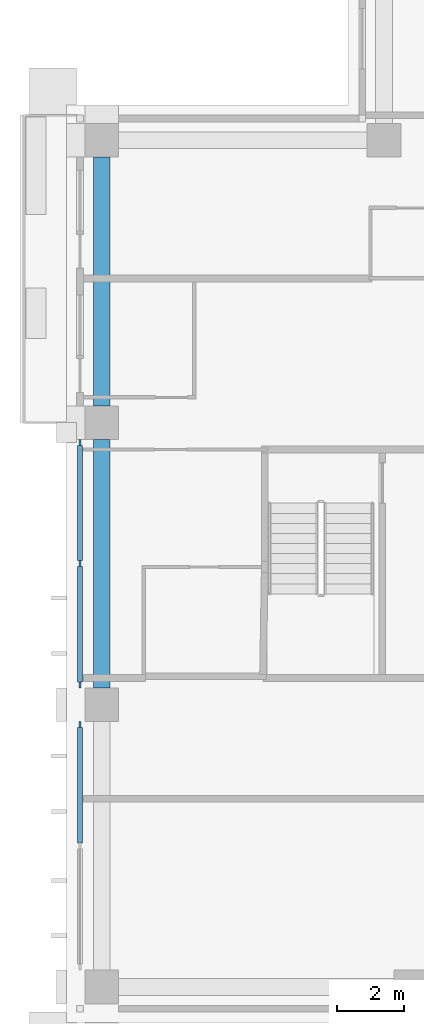
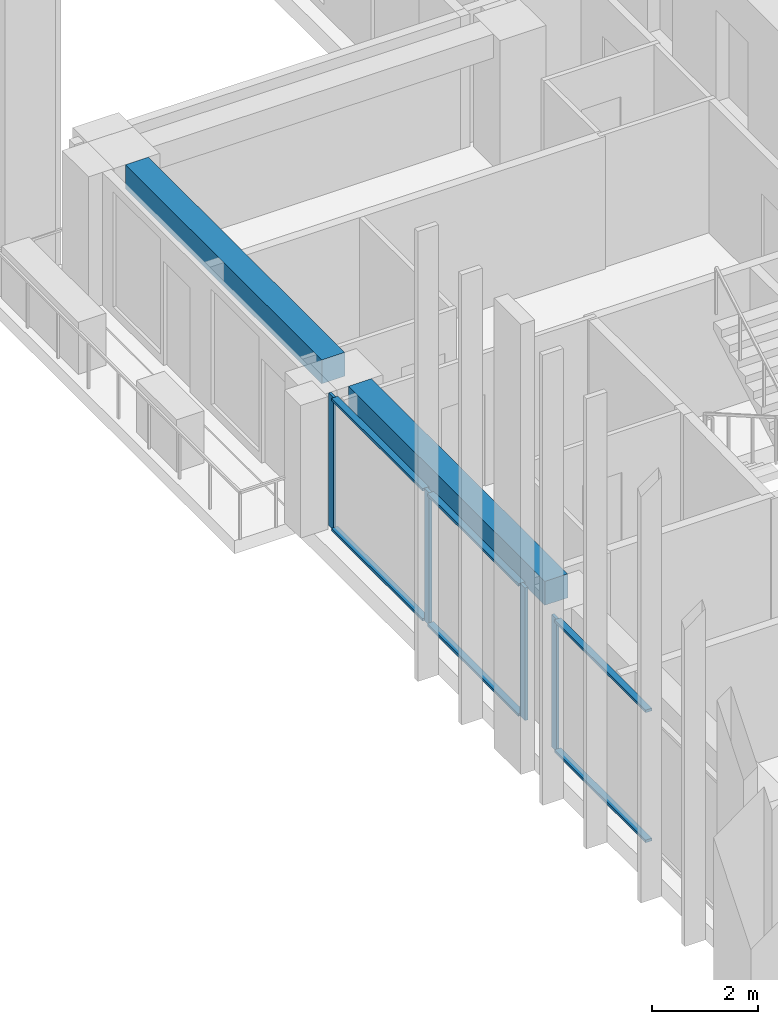
# One storey, part 4 of 17: 10 members, 2 beams, 2 elements without a shape of their own.
"""IFC4 building model written with IfcOpenShell, lengths in metres."""

from ifc_helpers import new_model, si_unit, direction, frame, origin, origin_2d, place, context, subcontext, project, spatial, rectangle, extrude, material, material_profile, profile_set, type_object, element, aggregate, save


model = new_model("IFC4")

# Units and contexts
model_context = context("Model", 3, precision=1e-05, world=origin(), true_north=direction((0.0, 1.0)))
body_context = subcontext(model_context, "Body", "Model", "MODEL_VIEW")
ifc_project = project(units=[si_unit("LENGTHUNIT", "METRE"), si_unit("AREAUNIT", "SQUARE_METRE"), si_unit("VOLUMEUNIT", "CUBIC_METRE"), si_unit("PLANEANGLEUNIT", "RADIAN"), si_unit("MASSUNIT", "GRAM", prefix="KILO")], contexts=[model_context])

# Site, building, storey
site_placement = place(None, origin())
site = spatial("IfcSite", under=ifc_project, at=site_placement, CompositionType="ELEMENT")
building_placement = place(site_placement, origin())
building = spatial("IfcBuilding", under=site, at=building_placement, Name="Vermilion Ogive Tower", CompositionType="ELEMENT")
storey_placement = place(building_placement, frame((0.0, 0.0, 175.550048828125)))
storey = spatial("IfcBuildingStorey", under=building, at=storey_placement, Name="L45", CompositionType="ELEMENT", Elevation=175.550048828125)

# Curtain wall, members
ifc_material_1 = material(Name="Low-iron laminated glazing in aluminium frame", Category="aluminium")
curtain_wall_type = type_object("IfcCurtainWallType", Name="Curtain wall CW7", PredefinedType="NOTDEFINED", material=ifc_material_1)
curtain_wall_1_placement = place(storey_placement, origin())
curtain_wall_1 = element("IfcCurtainWall", 1, at=curtain_wall_1_placement, inside=storey, type_object=curtain_wall_type, Name="Glazed skin W2", PredefinedType="NOTDEFINED")
ifc_material_2 = material(Name="Aluminium mullion", Category="aluminium")
ifc_material_profile_1 = material_profile(ifc_material_2, rectangle(XDim=0.06005859375, YDim=0.179931640625, at=origin_2d()), Name="AL 60x180")
ifc_profile_set_1 = profile_set([ifc_material_profile_1], Name="Aluminium mullion")
member_type_1 = type_object("IfcMemberType", Name="CW7 mullion 60x180", PredefinedType="MULLION", material=ifc_profile_set_1)
member_1_placement = place(storey_placement, frame((-25.85009765625, 3.610107421875, 0.0), z_axis=(0.0, 0.0, 1.0), x_axis=(1.0, 0.0, 0.0)))
member_1 = element("IfcMember", 2, at=member_1_placement, type_object=member_type_1, Name="CW7-W2 mullion 1", PredefinedType="MULLION", context=body_context, shape_type="SweptSolid", body=[
    extrude(rectangle(XDim=0.06005859375, YDim=0.179931640625, at=origin_2d()), origin(), (0.0, 0.0, 1.0), 3.050048828125),
])
member_2_placement = place(storey_placement, frame((-25.85009765625, 0.0, 0.0), z_axis=(0.0, 0.0, 1.0), x_axis=(1.0, 0.0, 0.0)))
member_2 = element("IfcMember", 3, at=member_2_placement, type_object=member_type_1, Name="CW7-W2 mullion 2", PredefinedType="MULLION", context=body_context, shape_type="SweptSolid", body=[
    extrude(rectangle(XDim=0.06005859375, YDim=0.179931640625, at=origin_2d()), origin(), (0.0, 0.0, 1.0), 3.050048828125),
])
member_3_placement = place(storey_placement, frame((-25.85009765625, -3.610107421875, 0.0), z_axis=(0.0, 0.0, 1.0), x_axis=(1.0, 0.0, 0.0)))
member_3 = element("IfcMember", 4, at=member_3_placement, type_object=member_type_1, Name="CW7-W2 mullion 3", PredefinedType="MULLION", context=body_context, shape_type="SweptSolid", body=[
    extrude(rectangle(XDim=0.06005859375, YDim=0.179931640625, at=origin_2d()), origin(), (0.0, 0.0, 1.0), 3.050048828125),
])

# Curtain wall, member
curtain_wall_2_placement = place(storey_placement, origin())
curtain_wall_2 = element("IfcCurtainWall", 5, at=curtain_wall_2_placement, inside=storey, type_object=curtain_wall_type, Name="Glazed skin W3", PredefinedType="NOTDEFINED")
member_4_placement = place(storey_placement, frame((-25.85009765625, -4.7900390625, 0.0), z_axis=(0.0, 0.0, 1.0), x_axis=(1.0, 0.0, 0.0)))
member_4 = element("IfcMember", 6, at=member_4_placement, type_object=member_type_1, Name="CW7-W3 mullion 1", PredefinedType="MULLION", context=body_context, shape_type="SweptSolid", body=[
    extrude(rectangle(XDim=0.06005859375, YDim=0.179931640625, at=origin_2d()), origin(), (0.0, 0.0, 1.0), 3.050048828125),
])

# Member
ifc_material_3 = material(Name="Aluminium transom", Category="aluminium")
ifc_material_profile_2 = material_profile(ifc_material_3, rectangle(XDim=0.139892578125, YDim=0.06005859375, at=origin_2d()), Name="AL 60x140")
ifc_profile_set_2 = profile_set([ifc_material_profile_2], Name="Aluminium transom")
member_type_2 = type_object("IfcMemberType", Name="CW7 transom 60x140", PredefinedType="USERDEFINED", material=ifc_profile_set_2)
member_5_placement = place(storey_placement, frame((-25.85009765625, 3.52001953125, 0.030029296875), z_axis=(0.0, -1.0, 0.0), x_axis=(1.0, 0.0, 0.0)))
member_5 = element("IfcMember", 7, at=member_5_placement, type_object=member_type_2, Name="CW7-W2 transom 1.1", ObjectType="TRANSOM", PredefinedType="USERDEFINED", context=body_context, shape_type="SweptSolid", body=[
    extrude(rectangle(XDim=0.139892578125, YDim=0.06005859375, at=origin_2d()), origin(), (0.0, 0.0, 1.0), 3.429931640625),
])

member_6_placement = place(storey_placement, frame((-25.85009765625, 3.52001953125, 3.02001953125), z_axis=(0.0, -1.0, 0.0), x_axis=(1.0, 0.0, 0.0)))
member_6 = element("IfcMember", 8, at=member_6_placement, type_object=member_type_2, Name="CW7-W2 transom 1.2", ObjectType="TRANSOM", PredefinedType="USERDEFINED", context=body_context, shape_type="SweptSolid", body=[
    extrude(rectangle(XDim=0.139892578125, YDim=0.06005859375, at=origin_2d()), origin(), (0.0, 0.0, 1.0), 3.429931640625),
])

member_7_placement = place(storey_placement, frame((-25.85009765625, -0.090087890625, 0.030029296875), z_axis=(0.0, -1.0, 0.0), x_axis=(1.0, 0.0, 0.0)))
member_7 = element("IfcMember", 9, at=member_7_placement, type_object=member_type_2, Name="CW7-W2 transom 2.1", ObjectType="TRANSOM", PredefinedType="USERDEFINED", context=body_context, shape_type="SweptSolid", body=[
    extrude(rectangle(XDim=0.139892578125, YDim=0.06005859375, at=origin_2d()), origin(), (0.0, 0.0, 1.0), 3.429931640625),
])

member_8_placement = place(storey_placement, frame((-25.85009765625, -0.090087890625, 3.02001953125), z_axis=(0.0, -1.0, 0.0), x_axis=(1.0, 0.0, 0.0)))
member_8 = element("IfcMember", 10, at=member_8_placement, type_object=member_type_2, Name="CW7-W2 transom 2.2", ObjectType="TRANSOM", PredefinedType="USERDEFINED", context=body_context, shape_type="SweptSolid", body=[
    extrude(rectangle(XDim=0.139892578125, YDim=0.06005859375, at=origin_2d()), origin(), (0.0, 0.0, 1.0), 3.429931640625),
])

aggregate(curtain_wall_1, [member_1, member_2, member_3, member_5, member_6, member_7, member_8])

member_9_placement = place(storey_placement, frame((-25.85009765625, -4.8798828125, 0.030029296875), z_axis=(0.0, -1.0, 0.0), x_axis=(1.0, 0.0, 0.0)))
member_9 = element("IfcMember", 11, at=member_9_placement, type_object=member_type_2, Name="CW7-W3 transom 1.1", ObjectType="TRANSOM", PredefinedType="USERDEFINED", context=body_context, shape_type="SweptSolid", body=[
    extrude(rectangle(XDim=0.139892578125, YDim=0.06005859375, at=origin_2d()), origin(), (0.0, 0.0, 1.0), 3.43017578125),
])

member_10_placement = place(storey_placement, frame((-25.85009765625, -4.8798828125, 3.02001953125), z_axis=(0.0, -1.0, 0.0), x_axis=(1.0, 0.0, 0.0)))
member_10 = element("IfcMember", 12, at=member_10_placement, type_object=member_type_2, Name="CW7-W3 transom 1.2", ObjectType="TRANSOM", PredefinedType="USERDEFINED", context=body_context, shape_type="SweptSolid", body=[
    extrude(rectangle(XDim=0.139892578125, YDim=0.06005859375, at=origin_2d()), origin(), (0.0, 0.0, 1.0), 3.43017578125),
])

aggregate(curtain_wall_2, [member_4, member_9, member_10])

# Beams
ifc_material_4 = material(Name="Concrete B45", Category="concrete")
ifc_material_profile_3 = material_profile(ifc_material_4, rectangle(XDim=0.5, YDim=0.550048828125, at=origin_2d()), Name="500 x 550")
ifc_profile_set_3 = profile_set([ifc_material_profile_3], Name="Concrete B45")
beam_type = type_object("IfcBeamType", Name="Edge beam 500 x 550 B45", PredefinedType="BEAM", material=ifc_profile_set_3)
beam_1_placement = place(storey_placement, frame((-25.199951171875, 12.10009765625, 2.77490234375), z_axis=(0.0, -1.0, 0.0), x_axis=(1.0, 0.0, 0.0)))
element("IfcBeam", 13, at=beam_1_placement, inside=storey, type_object=beam_type, Name="L45-EB-14", PredefinedType="BEAM", context=body_context, shape_type="SweptSolid", body=[
    extrude(rectangle(XDim=0.5, YDim=0.550048828125, at=origin_2d()), origin(), (0.0, 0.0, 1.0), 7.400146484375),
])
beam_2_placement = place(storey_placement, frame((-25.199951171875, 3.699951171875, 2.77490234375), z_axis=(0.0, -1.0, 0.0), x_axis=(1.0, 0.0, 0.0)))
element("IfcBeam", 14, at=beam_2_placement, inside=storey, type_object=beam_type, Name="L45-EB-15", PredefinedType="BEAM", context=body_context, shape_type="SweptSolid", body=[
    extrude(rectangle(XDim=0.5, YDim=0.550048828125, at=origin_2d()), origin(), (0.0, 0.0, 1.0), 7.39990234375),
])

save(model, "model.ifc")
